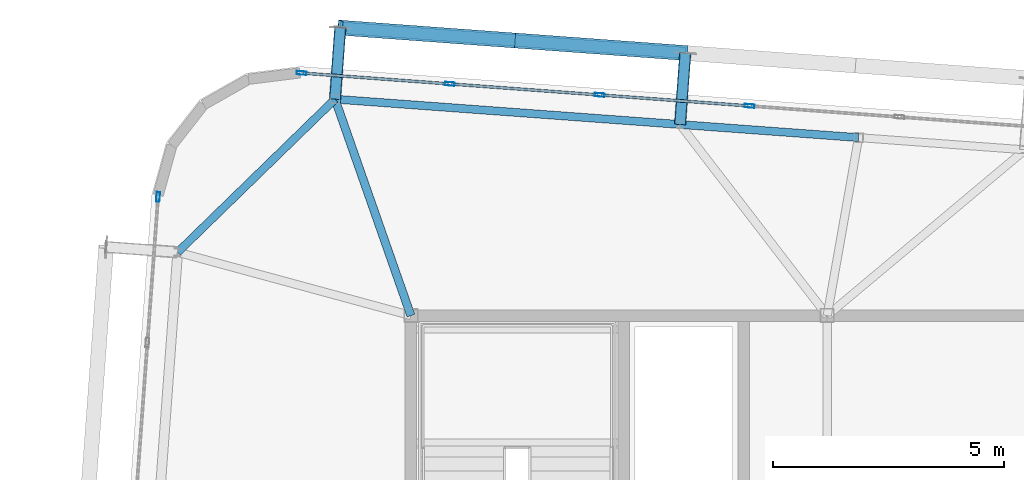
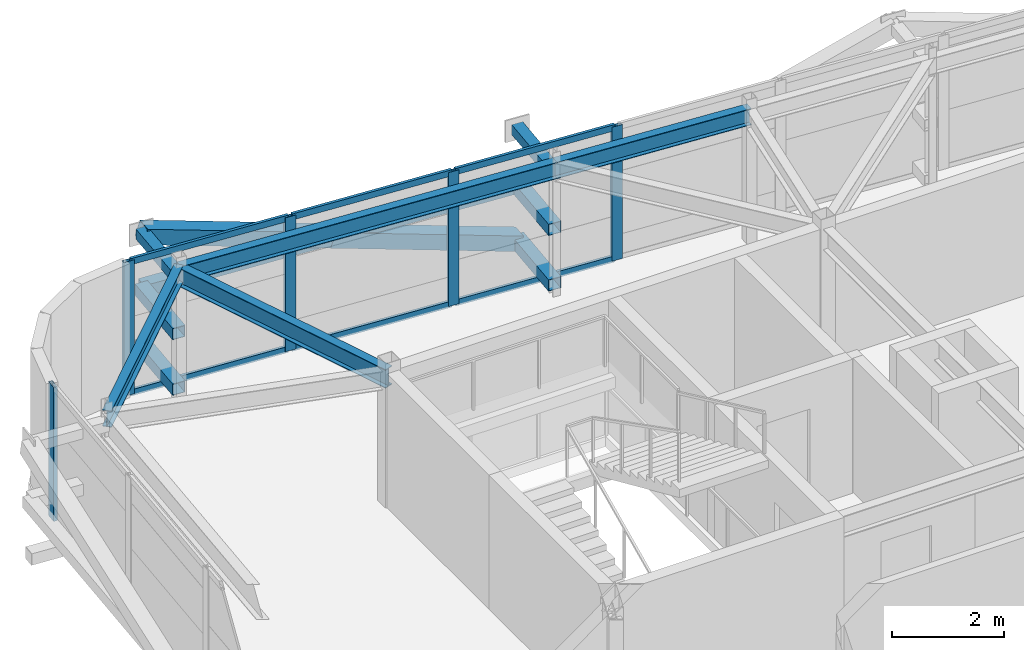
# One storey, part 26 of 42: 20 members, 4 beams, 2 elements without a shape of their own.
"""IFC4 building model written with IfcOpenShell, lengths in metres."""

from ifc_helpers import new_model, si_unit, direction, frame, origin, origin_2d, place, context, subcontext, project, spatial, hollow_rectangle, i_section, extrude, source, transform, mapped, material, layer, layer_set, material_profile, profile_set, type_object, element, aggregate, save


model = new_model("IFC4")

# Units and contexts
model_context = context("Model", 3, precision=1e-05, world=origin(), true_north=direction((0.0, 1.0)))
body_context = subcontext(model_context, "Body", "Model", "MODEL_VIEW")
ifc_project = project(units=[si_unit("LENGTHUNIT", "METRE"), si_unit("AREAUNIT", "SQUARE_METRE"), si_unit("VOLUMEUNIT", "CUBIC_METRE"), si_unit("PLANEANGLEUNIT", "RADIAN"), si_unit("MASSUNIT", "GRAM", prefix="KILO")], contexts=[model_context])

# Site, building, storey
site_placement = place(None, origin())
site = spatial("IfcSite", under=ifc_project, at=site_placement, CompositionType="ELEMENT")
building_placement = place(site_placement, origin())
building = spatial("IfcBuilding", under=site, at=building_placement, Name="Taldren Reach Tower", CompositionType="ELEMENT")
storey_placement = place(building_placement, frame((0.0, 0.0, 220.85009765625)))
storey = spatial("IfcBuildingStorey", under=building, at=storey_placement, Name="L67", CompositionType="ELEMENT", Elevation=220.85009765625)

# Members
ifc_material_1 = material(Name="Steel Gr 350 (C350L0)", Category="steel")
ifc_material_profile_1 = material_profile(ifc_material_1, hollow_rectangle(XDim=0.25, YDim=0.25, WallThickness=0.010009765625, at=origin_2d()), Name="250x250x10.0SHS")
ifc_profile_set_1 = profile_set([ifc_material_profile_1], Name="Steel Gr 350 (C350L0)")
member_type_1 = type_object("IfcMemberType", Name="MB-POST250", PredefinedType="POST", material=ifc_profile_set_1)
shared_shape_1 = source(origin(), body_context, "Body", "SweptSolid", [
    extrude(hollow_rectangle(XDim=0.25, YDim=0.25, WallThickness=0.010009765625, at=origin_2d()), origin(), (0.0, 0.0, 1.0), 1.5498046875),
])
for number, where, z_axis, x_axis, name in (
    (1, (17.35986328125, 36.678955078125, 0.219970703125), (0.073250797913, 0.997313551801, 0.0), (-0.997313551801, 0.073250797913, 0.0), "Exoskeleton base diaphragm tie strut B5-N1 L67"),
    (2, (17.35986328125, 36.678955078125, 1.434814453125), (0.073250797913, 0.997313551801, 0.0), (-0.997313551801, 0.073250797913, 0.0), "Exoskeleton mid-tier diaphragm tie B5-N1 L67"),
):
    element("IfcMember", number, at=place(storey_placement, frame(where, z_axis=z_axis, x_axis=x_axis)), inside=storey, type_object=member_type_1, Name=name, PredefinedType="POST", context=body_context, shape_type="MappedRepresentation", body=[
        mapped(shared_shape_1, transform((0.0, 0.0, 0.0), scale=1.0)),
    ])
shared_shape_2 = source(origin(), body_context, "Body", "SweptSolid", [
    extrude(hollow_rectangle(XDim=0.25, YDim=0.25, WallThickness=0.010009765625, at=origin_2d()), origin(), (0.0, 0.0, 1.0), 1.550048828125),
])
for number, where, z_axis, x_axis, name in (
    (3, (24.819580078125, 36.131103515625, 0.219970703125), (0.07323929162, 0.997314396849, 0.0), (-0.997314396849, 0.07323929162, 0.0), "Exoskeleton base diaphragm tie strut B5-N2 L67"),
    (4, (24.819580078125, 36.131103515625, 1.434814453125), (0.07323929162, 0.997314396849, 0.0), (-0.997314396849, 0.07323929162, 0.0), "Exoskeleton mid-tier diaphragm tie B5-N2 L67"),
):
    element("IfcMember", number, at=place(storey_placement, frame(where, z_axis=z_axis, x_axis=x_axis)), inside=storey, type_object=member_type_1, Name=name, PredefinedType="POST", context=body_context, shape_type="MappedRepresentation", body=[
        mapped(shared_shape_2, transform((0.0, 0.0, 0.0), scale=1.0)),
    ])
ifc_material_2 = material(Name="Steel Gr 450 (C450L0)", Category="steel")
ifc_material_profile_2 = material_profile(ifc_material_2, hollow_rectangle(XDim=0.219970703125, YDim=0.219970703125, WallThickness=0.00830078125, at=origin_2d()), Name="220x220x8.2SHS")
ifc_profile_set_2 = profile_set([ifc_material_profile_2], Name="Steel Gr 450 (C450L0)")
member_type_2 = type_object("IfcMemberType", Name="MB-TIE219", PredefinedType="STRUT", material=ifc_profile_set_2)
shared_shape_3 = source(origin(), body_context, "Body", "SweptSolid", [
    extrude(hollow_rectangle(XDim=0.219970703125, YDim=0.219970703125, WallThickness=0.00830078125, at=origin_2d()), origin(), (0.0, 0.0, 1.0), 1.5498046875),
])
member_1_placement = place(storey_placement, frame((17.35986328125, 36.678955078125, 2.64990234375), z_axis=(0.073250797913, 0.997313551801, 0.0), x_axis=(-0.997313551801, 0.073250797913, 0.0)))
element("IfcMember", 5, at=member_1_placement, inside=storey, type_object=member_type_2, Name="Exoskeleton diaphragm tie strut B5-N1 L67", PredefinedType="STRUT", context=body_context, shape_type="MappedRepresentation", body=[
    mapped(shared_shape_3, transform((0.0, 0.0, 0.0), scale=1.0)),
])
shared_shape_4 = source(origin(), body_context, "Body", "SweptSolid", [
    extrude(hollow_rectangle(XDim=0.219970703125, YDim=0.219970703125, WallThickness=0.00830078125, at=origin_2d()), origin(), (0.0, 0.0, 1.0), 1.550048828125),
])
member_2_placement = place(storey_placement, frame((24.819580078125, 36.131103515625, 2.64990234375), z_axis=(0.07323929162, 0.997314396849, 0.0), x_axis=(-0.997314396849, 0.07323929162, 0.0)))
element("IfcMember", 6, at=member_2_placement, inside=storey, type_object=member_type_2, Name="Exoskeleton diaphragm tie strut B5-N2 L67", PredefinedType="STRUT", context=body_context, shape_type="MappedRepresentation", body=[
    mapped(shared_shape_4, transform((0.0, 0.0, 0.0), scale=1.0)),
])

# Beams
ifc_material_3 = material(Name="Steel Gr 350 (350PLUS)", Category="steel")
ifc_material_profile_3 = material_profile(ifc_material_3, i_section(OverallWidth=0.172119140625, OverallDepth=0.35888671875, WebThickness=0.008056640625, FlangeThickness=0.012939453125, at=origin_2d()), Name="360UB56.7")
ifc_profile_set_3 = profile_set([ifc_material_profile_3], Name="Steel Gr 350 (350PLUS)")
beam_type_1 = type_object("IfcBeamType", Name="SP-UB360", PredefinedType="SPANDREL", material=ifc_profile_set_3)
shared_shape_5 = source(origin(), body_context, "Body", "SweptSolid", [
    extrude(i_section(OverallWidth=0.172119140625, OverallDepth=0.35888671875, WebThickness=0.008056640625, FlangeThickness=0.012939453125, at=origin_2d()), origin(), (0.0, 0.0, 1.0), 7.479736328125),
])
beam_1_placement = place(storey_placement, frame((24.819580078125, 36.131103515625, 2.75048828125), z_axis=(-0.997314045547, 0.073244075215, 0.0), x_axis=(-0.073244075215, -0.997314045547, 0.0)))
element("IfcBeam", 7, at=beam_1_placement, inside=storey, type_object=beam_type_1, Name="Perimeter spandrel B5 N2-N1 L67", PredefinedType="SPANDREL", context=body_context, shape_type="MappedRepresentation", body=[
    mapped(shared_shape_5, transform((0.0, 0.0, 0.0), scale=1.0)),
])
shared_shape_6 = source(origin(), body_context, "Body", "SweptSolid", [
    extrude(i_section(OverallWidth=0.172119140625, OverallDepth=0.35888671875, WebThickness=0.008056640625, FlangeThickness=0.012939453125, at=origin_2d()), origin(), (0.0, 0.0, 1.0), 4.74609375),
])
beam_2_placement = place(storey_placement, frame((17.35986328125, 36.678955078125, 2.75048828125), z_axis=(-0.716711338436, -0.697369957309, 0.0), x_axis=(0.697369957309, -0.716711338436, 0.0)))
element("IfcBeam", 8, at=beam_2_placement, inside=storey, type_object=beam_type_1, Name="Perimeter spandrel B5 N1-W3 L67", PredefinedType="SPANDREL", context=body_context, shape_type="MappedRepresentation", body=[
    mapped(shared_shape_6, transform((0.0, 0.0, 0.0), scale=1.0)),
])
shared_shape_7 = source(origin(), body_context, "Body", "SweptSolid", [
    extrude(i_section(OverallWidth=0.172119140625, OverallDepth=0.35888671875, WebThickness=0.008056640625, FlangeThickness=0.012939453125, at=origin_2d()), origin(), (0.0, 0.0, 1.0), 3.8701171875),
])
beam_3_placement = place(storey_placement, frame((28.67919921875, 35.84765625, 2.75048828125), z_axis=(-0.997314202545, 0.073241937451, 0.0), x_axis=(-0.073241937451, -0.997314202545, 0.0)))
element("IfcBeam", 9, at=beam_3_placement, inside=storey, type_object=beam_type_1, Name="Perimeter spandrel B5 PJN1-N2 L67", PredefinedType="SPANDREL", context=body_context, shape_type="MappedRepresentation", body=[
    mapped(shared_shape_7, transform((0.0, 0.0, 0.0), scale=1.0)),
])
ifc_material_profile_4 = material_profile(ifc_material_3, i_section(OverallWidth=0.177978515625, OverallDepth=0.406005859375, WebThickness=0.0078125, FlangeThickness=0.0126953125, at=origin_2d()), Name="410UB59.7")
ifc_profile_set_4 = profile_set([ifc_material_profile_4], Name="Steel Gr 350 (350PLUS)")
beam_type_2 = type_object("IfcBeamType", Name="BM-UB410", PredefinedType="BEAM", material=ifc_profile_set_4)
shared_shape_8 = source(origin(), body_context, "Body", "SweptSolid", [
    extrude(i_section(OverallWidth=0.177978515625, OverallDepth=0.406005859375, WebThickness=0.0078125, FlangeThickness=0.0126953125, at=origin_2d()), origin(), (0.0, 0.0, 1.0), 4.9580078125),
])
beam_4_placement = place(storey_placement, frame((19.0, 32.0, 2.726806640625), z_axis=(-0.330800025288, 0.943700875951, 0.0), x_axis=(-0.943700875951, -0.330800025288, 0.0)))
element("IfcBeam", 10, at=beam_4_placement, inside=storey, type_object=beam_type_2, Name="Primary floor girder B5-N1 L67", PredefinedType="BEAM", context=body_context, shape_type="MappedRepresentation", body=[
    mapped(shared_shape_8, transform((0.0, 0.0, 0.0), scale=1.0)),
])

# Members
ifc_material_profile_5 = material_profile(ifc_material_2, hollow_rectangle(XDim=0.324951171875, YDim=0.324951171875, WallThickness=0.0126953125, at=origin_2d()), Name="325x325x12.7SHS")
ifc_profile_set_5 = profile_set([ifc_material_profile_5], Name="Steel Gr 450 (C450L0)")
member_type_3 = type_object("IfcMemberType", Name="MB-BR324", PredefinedType="BRACE", material=ifc_profile_set_5)
shared_shape_9 = source(origin(), body_context, "Body", "SweptSolid", [
    extrude(hollow_rectangle(XDim=0.324951171875, YDim=0.324951171875, WallThickness=0.0126953125, at=origin_2d()), origin(), (0.0, 0.0, 1.0), 3.932373046875),
])
member_3_placement = place(storey_placement, frame((21.203369140625, 37.95068359375, 1.434814453125), z_axis=(-0.948511132845, 0.069657644394, 0.308989390507), x_axis=(-0.07324169103, -0.997314220642, 0.0)))
element("IfcMember", 11, at=member_3_placement, inside=storey, type_object=member_type_3, Name="Exoskeleton Diagrid Brace B5-N1 L67", PredefinedType="BRACE", context=body_context, shape_type="MappedRepresentation", body=[
    mapped(shared_shape_9, transform((0.0, 0.0, 0.0), scale=1.0)),
])
shared_shape_10 = source(origin(), body_context, "Body", "SweptSolid", [
    extrude(hollow_rectangle(XDim=0.324951171875, YDim=0.324951171875, WallThickness=0.0126953125, at=origin_2d()), origin(), (0.0, 0.0, 1.0), 3.93212890625),
])
member_4_placement = place(storey_placement, frame((24.93310546875, 37.677001953125, 0.219970703125), z_axis=(-0.948527200613, 0.069601295535, 0.308952762339), x_axis=(-0.073181527281, -0.997318637179, 0.0)))
element("IfcMember", 12, at=member_4_placement, inside=storey, type_object=member_type_3, Name="Exoskeleton Diagrid Brace B5-N1 L67", PredefinedType="BRACE", context=body_context, shape_type="MappedRepresentation", body=[
    mapped(shared_shape_10, transform((0.0, 0.0, 0.0), scale=1.0)),
])
shared_shape_11 = source(origin(), body_context, "Body", "SweptSolid", [
    extrude(hollow_rectangle(XDim=0.25, YDim=0.25, WallThickness=0.010009765625, at=origin_2d()), origin(), (0.0, 0.0, 1.0), 7.479736328125),
])
member_5_placement = place(storey_placement, frame((17.473388671875, 38.224609375, 1.434814453125), z_axis=(0.997316429287, -0.07321161024, 0.0), x_axis=(0.07321161024, 0.997316429287, 0.0)))
element("IfcMember", 13, at=member_5_placement, inside=storey, type_object=member_type_1, Name="Exoskeleton mid-height ring chord B5-N1 L67", PredefinedType="POST", context=body_context, shape_type="MappedRepresentation", body=[
    mapped(shared_shape_11, transform((0.0, 0.0, 0.0), scale=1.0)),
])

# Curtain wall, members
ifc_material_4 = material(Name="Aluminium and Low-E Glass Unitised System", Category="aluminium")
ifc_layer = layer(ifc_material_4, 0.159912109375)
ifc_layer_set = layer_set([ifc_layer], Name="Aluminium and Low-E Glass Unitised System")
curtain_wall_type = type_object("IfcCurtainWallType", Name="CW-SYS-6", PredefinedType="NOTDEFINED", material=ifc_layer_set)
curtain_wall_1_placement = place(storey_placement, origin())
curtain_wall_1 = element("IfcCurtainWall", 14, at=curtain_wall_1_placement, inside=storey, type_object=curtain_wall_type, Name="Unitised curtain wall CW-L67-N", PredefinedType="NOTDEFINED")
ifc_material_5 = material(Name="Anodised Aluminium 6063-T6", Category="aluminium")
ifc_material_profile_6 = material_profile(ifc_material_5, hollow_rectangle(XDim=0.074951171875, YDim=0.2099609375, WallThickness=0.00439453125, at=origin_2d()), Name="ALU-210x75x4.5RHS")
ifc_profile_set_6 = profile_set([ifc_material_profile_6], Name="Anodised Aluminium 6063-T6")
member_type_4 = type_object("IfcMemberType", Name="CW-MUL-200", PredefinedType="MULLION", material=ifc_profile_set_6)
shared_shape_12 = source(origin(), body_context, "Body", "SweptSolid", [
    extrude(hollow_rectangle(XDim=0.074951171875, YDim=0.2099609375, WallThickness=0.00439453125, at=origin_2d()), origin(), (0.0, 0.0, 1.0), 2.929931640625),
])
member_6_placement = place(storey_placement, frame((26.322998046875, 36.531982421875, 0.0), z_axis=(0.0, 0.0, 1.0), x_axis=(-0.073238213716, -0.997314476006, 0.0)))
member_6 = element("IfcMember", 15, at=member_6_placement, type_object=member_type_4, Name="CW-6 mullion 10", PredefinedType="MULLION", context=body_context, shape_type="MappedRepresentation", body=[
    mapped(shared_shape_12, transform((0.0, 0.0, 0.0), scale=1.0)),
])
member_7_placement = place(storey_placement, frame((23.081787109375, 36.77001953125, 0.0), z_axis=(0.0, 0.0, 1.0), x_axis=(-0.073238213716, -0.997314476006, 0.0)))
member_7 = element("IfcMember", 16, at=member_7_placement, type_object=member_type_4, Name="CW-6 mullion 11", PredefinedType="MULLION", context=body_context, shape_type="MappedRepresentation", body=[
    mapped(shared_shape_12, transform((0.0, 0.0, 0.0), scale=1.0)),
])
member_8_placement = place(storey_placement, frame((19.840576171875, 37.008056640625, 0.0), z_axis=(0.0, 0.0, 1.0), x_axis=(-0.073238213716, -0.997314476006, 0.0)))
member_8 = element("IfcMember", 17, at=member_8_placement, type_object=member_type_4, Name="CW-6 mullion 12", PredefinedType="MULLION", context=body_context, shape_type="MappedRepresentation", body=[
    mapped(shared_shape_12, transform((0.0, 0.0, 0.0), scale=1.0)),
])
member_9_placement = place(storey_placement, frame((16.63671875, 37.243408203125, 0.0), z_axis=(0.0, 0.0, 1.0), x_axis=(-0.073238213716, -0.997314476006, 0.0)))
member_9 = element("IfcMember", 18, at=member_9_placement, type_object=member_type_4, Name="CW-6 mullion 13", PredefinedType="MULLION", context=body_context, shape_type="MappedRepresentation", body=[
    mapped(shared_shape_12, transform((0.0, 0.0, 0.0), scale=1.0)),
])

# Curtain wall, member
curtain_wall_2_placement = place(storey_placement, origin())
curtain_wall_2 = element("IfcCurtainWall", 19, at=curtain_wall_2_placement, inside=storey, type_object=curtain_wall_type, Name="Unitised curtain wall CW-L67-W", PredefinedType="NOTDEFINED")
member_10_placement = place(storey_placement, frame((13.53466796875, 34.56591796875, 0.0), z_axis=(0.0, 0.0, 1.0), x_axis=(0.997314470951, -0.073238282558, 0.0)))
member_10 = element("IfcMember", 20, at=member_10_placement, type_object=member_type_4, Name="CW-6 mullion 1", PredefinedType="MULLION", context=body_context, shape_type="MappedRepresentation", body=[
    mapped(shared_shape_12, transform((0.0, 0.0, 0.0), scale=1.0)),
])
aggregate(curtain_wall_2, [member_10])

# Member
ifc_material_profile_7 = material_profile(ifc_material_5, hollow_rectangle(XDim=0.06005859375, YDim=0.135009765625, WallThickness=0.00341796875, at=origin_2d()), Name="ALU-135x60x3.5RHS")
ifc_profile_set_7 = profile_set([ifc_material_profile_7], Name="Anodised Aluminium 6063-T6")
member_type_5 = type_object("IfcMemberType", Name="CW-TRN-150", PredefinedType="USERDEFINED", material=ifc_profile_set_7)
shared_shape_13 = source(origin(), body_context, "Body", "SweptSolid", [
    extrude(hollow_rectangle(XDim=0.06005859375, YDim=0.135009765625, WallThickness=0.00341796875, at=origin_2d()), origin(), (0.0, 0.0, 1.0), 3.175048828125),
])
member_11_placement = place(storey_placement, frame((26.28564453125, 36.53466796875, 0.02978515625), z_axis=(-0.997311428111, 0.073279706322, 0.0), x_axis=(-0.073279706322, -0.997311428111, 0.0)))
member_11 = element("IfcMember", 21, at=member_11_placement, type_object=member_type_5, Name="CW-6 transom 10.1", ObjectType="TRANSOM", PredefinedType="USERDEFINED", context=body_context, shape_type="MappedRepresentation", body=[
    mapped(shared_shape_13, transform((0.0, 0.0, 0.0), scale=1.0)),
])

member_12_placement = place(storey_placement, frame((26.28564453125, 36.53466796875, 2.89990234375), z_axis=(-0.997311428111, 0.073279706322, 0.0), x_axis=(-0.073279706322, -0.997311428111, 0.0)))
member_12 = element("IfcMember", 22, at=member_12_placement, type_object=member_type_5, Name="CW-6 transom 10.2", ObjectType="TRANSOM", PredefinedType="USERDEFINED", context=body_context, shape_type="MappedRepresentation", body=[
    mapped(shared_shape_13, transform((0.0, 0.0, 0.0), scale=1.0)),
])

member_13_placement = place(storey_placement, frame((23.04443359375, 36.772705078125, 0.02978515625), z_axis=(-0.997311428111, 0.073279706322, 0.0), x_axis=(-0.073279706322, -0.997311428111, 0.0)))
member_13 = element("IfcMember", 23, at=member_13_placement, type_object=member_type_5, Name="CW-6 transom 11.1", ObjectType="TRANSOM", PredefinedType="USERDEFINED", context=body_context, shape_type="MappedRepresentation", body=[
    mapped(shared_shape_13, transform((0.0, 0.0, 0.0), scale=1.0)),
])

member_14_placement = place(storey_placement, frame((23.04443359375, 36.772705078125, 2.89990234375), z_axis=(-0.997311428111, 0.073279706322, 0.0), x_axis=(-0.073279706322, -0.997311428111, 0.0)))
member_14 = element("IfcMember", 24, at=member_14_placement, type_object=member_type_5, Name="CW-6 transom 11.2", ObjectType="TRANSOM", PredefinedType="USERDEFINED", context=body_context, shape_type="MappedRepresentation", body=[
    mapped(shared_shape_13, transform((0.0, 0.0, 0.0), scale=1.0)),
])

shared_shape_14 = source(origin(), body_context, "Body", "SweptSolid", [
    extrude(hollow_rectangle(XDim=0.06005859375, YDim=0.135009765625, WallThickness=0.00341796875, at=origin_2d()), origin(), (0.0, 0.0, 1.0), 3.137451171875),
])
member_15_placement = place(storey_placement, frame((19.80322265625, 37.0107421875, 0.02978515625), z_axis=(-0.997315736795, 0.073221043015, 0.0), x_axis=(-0.073221043015, -0.997315736795, 0.0)))
member_15 = element("IfcMember", 25, at=member_15_placement, type_object=member_type_5, Name="CW-6 transom 12.1", ObjectType="TRANSOM", PredefinedType="USERDEFINED", context=body_context, shape_type="MappedRepresentation", body=[
    mapped(shared_shape_14, transform((0.0, 0.0, 0.0), scale=1.0)),
])

member_16_placement = place(storey_placement, frame((19.80322265625, 37.0107421875, 2.89990234375), z_axis=(-0.997315736795, 0.073221043015, 0.0), x_axis=(-0.073221043015, -0.997315736795, 0.0)))
member_16 = element("IfcMember", 26, at=member_16_placement, type_object=member_type_5, Name="CW-6 transom 12.2", ObjectType="TRANSOM", PredefinedType="USERDEFINED", context=body_context, shape_type="MappedRepresentation", body=[
    mapped(shared_shape_14, transform((0.0, 0.0, 0.0), scale=1.0)),
])

aggregate(curtain_wall_1, [member_6, member_7, member_8, member_9, member_11, member_12, member_13, member_14, member_15, member_16])

save(model, "model.ifc")
